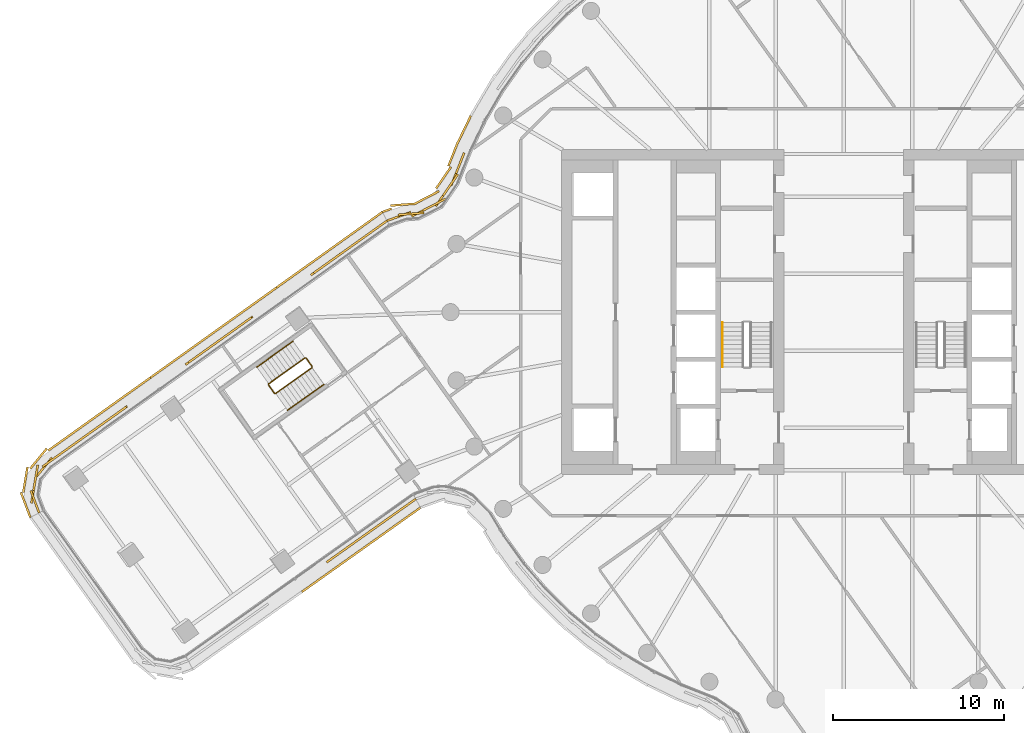
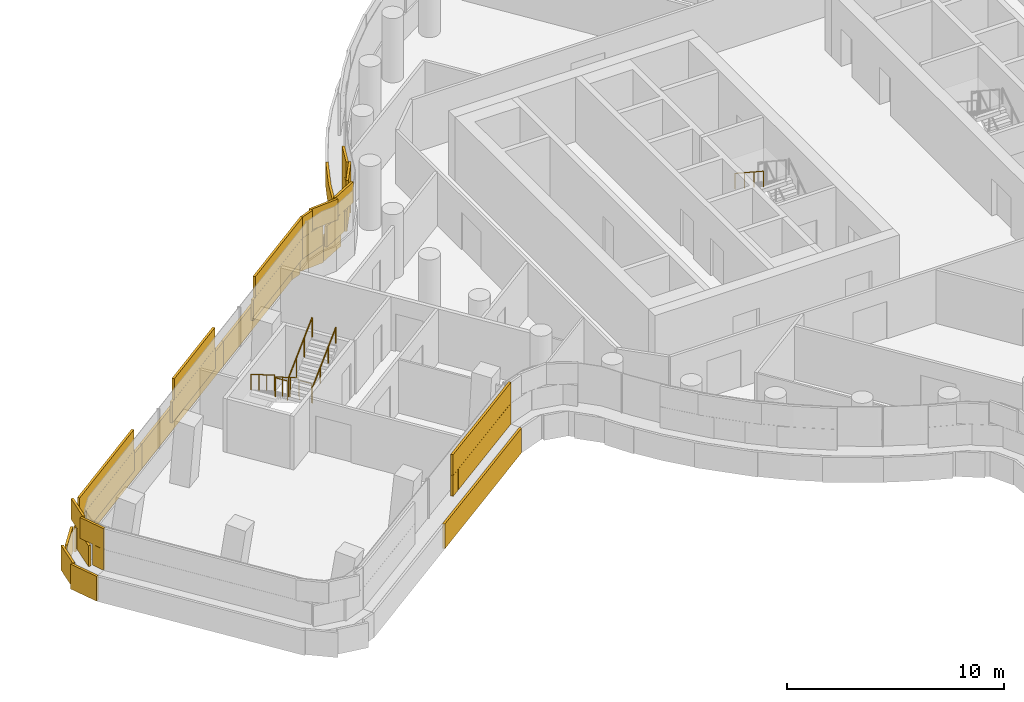
# One storey, part 27 of 31: 7 railings, 5 coverings.
"""IFC4 building model written with IfcOpenShell, lengths in metres."""

from ifc_helpers import new_model, si_unit, direction, frame, origin, origin_2d, place, context, subcontext, project, spatial, rectangle, circle, extrude, material, layer, layer_set, type_object, element, save


model = new_model("IFC4")

# Units and contexts
model_context = context("Model", 3, precision=1e-05, world=origin(), true_north=direction((0.0, 1.0)))
body_context = subcontext(model_context, "Body", "Model", "MODEL_VIEW")
ifc_project = project(units=[si_unit("LENGTHUNIT", "METRE"), si_unit("AREAUNIT", "SQUARE_METRE"), si_unit("VOLUMEUNIT", "CUBIC_METRE"), si_unit("PLANEANGLEUNIT", "RADIAN"), si_unit("MASSUNIT", "GRAM", prefix="KILO")], contexts=[model_context])

# Site, building, storey
site_placement = place(None, origin())
site = spatial("IfcSite", under=ifc_project, at=site_placement, CompositionType="ELEMENT")
building_placement = place(site_placement, origin())
building = spatial("IfcBuilding", under=site, at=building_placement, Name="Tamarind Cross Interchange Tower", CompositionType="ELEMENT")
storey_placement = place(building_placement, frame((0.0, 0.0, 163.0)))
storey = spatial("IfcBuildingStorey", under=building, at=storey_placement, Name="L40", CompositionType="ELEMENT", Elevation=163.0)

# Railings
ifc_material_1 = material(Name="Stair guard")
railing_type_1 = type_object("IfcRailingType", Name="Stair guard", PredefinedType="GUARDRAIL", material=ifc_material_1)
railing_1_placement = place(storey_placement, frame((-31.515625, -2.677001953125, 0.17041015625)))
element("IfcRailing", 1, at=railing_1_placement, inside=storey, type_object=railing_type_1, Name="L40 ST5 stair guard 1", PredefinedType="GUARDRAIL", context=body_context, shape_type="SweptSolid", body=[
    extrude(circle(Radius=0.02392578125, at=origin_2d()), frame((0.0, 0.0, 1.076171875), z_axis=(-0.680615036095, -0.485940445754, 0.548292855892), x_axis=(0.581069410293, -0.813854004365, 0.0)), (0.0, 0.0, 1.0), 3.10888671875),
    extrude(circle(Radius=0.02099609375, at=origin_2d()), origin(), (0.0, 0.0, 1.0), 1.052001953125),
    extrude(circle(Radius=0.02099609375, at=origin_2d()), frame((-0.705322265625, -0.503662109375, 0.568115234375)), (0.0, 0.0, 1.0), 1.052001953125),
    extrude(circle(Radius=0.02099609375, at=origin_2d()), frame((-1.41064453125, -1.007080078125, 1.136474609375)), (0.0, 0.0, 1.0), 1.052001953125),
    extrude(circle(Radius=0.02099609375, at=origin_2d()), frame((-2.115966796875, -1.5107421875, 1.70458984375)), (0.0, 0.0, 1.0), 1.052001953125),
])
railing_2_placement = place(storey_placement, frame((-33.643310546875, -4.257568359375, 1.875)))
element("IfcRailing", 2, at=railing_2_placement, inside=storey, type_object=railing_type_1, Name="L40 ST5 stair guard 2", PredefinedType="GUARDRAIL", context=body_context, shape_type="SweptSolid", body=[
    extrude(circle(Radius=0.02392578125, at=origin_2d()), frame((0.0, 0.0, 1.076171875), z_axis=(0.581084212935, -0.813843435483, 0.0), x_axis=(0.813843435483, 0.581084212935, 0.0)), (0.0, 0.0, 1.0), 0.599853515625),
    extrude(circle(Radius=0.02099609375, at=origin_2d()), origin(), (0.0, 0.0, 1.0), 1.052001953125),
    extrude(circle(Radius=0.02099609375, at=origin_2d()), frame((0.3486328125, -0.48828125, 0.0)), (0.0, 0.0, 1.0), 1.052001953125),
])
railing_3_placement = place(storey_placement, frame((-33.224853515625, -4.757568359375, 2.04541015625)))
element("IfcRailing", 3, at=railing_3_placement, inside=storey, type_object=railing_type_1, Name="L40 ST5 stair guard 3", PredefinedType="GUARDRAIL", context=body_context, shape_type="SweptSolid", body=[
    extrude(circle(Radius=0.02392578125, at=origin_2d()), frame((0.0, 0.0, 1.076171875), z_axis=(0.680615036095, 0.485940445754, 0.548292855892), x_axis=(-0.581069410293, 0.813854004365, 0.0)), (0.0, 0.0, 1.0), 3.10888671875),
    extrude(circle(Radius=0.02099609375, at=origin_2d()), origin(), (0.0, 0.0, 1.0), 1.052001953125),
    extrude(circle(Radius=0.02099609375, at=origin_2d()), frame((0.705322265625, 0.503662109375, 0.568115234375)), (0.0, 0.0, 1.0), 1.052001953125),
    extrude(circle(Radius=0.02099609375, at=origin_2d()), frame((1.41064453125, 1.007080078125, 1.136474609375)), (0.0, 0.0, 1.0), 1.052001953125),
    extrude(circle(Radius=0.02099609375, at=origin_2d()), frame((2.115966796875, 1.5107421875, 1.70458984375)), (0.0, 0.0, 1.0), 1.052001953125),
])
railing_4_placement = place(storey_placement, frame((-31.44580078125, -2.688720703125, 0.0)))
element("IfcRailing", 4, at=railing_4_placement, inside=storey, type_object=railing_type_1, Name="L40 ST5 stair guard 4", PredefinedType="GUARDRAIL", context=body_context, shape_type="SweptSolid", body=[
    extrude(circle(Radius=0.02392578125, at=origin_2d()), frame((0.0, 0.0, 1.076171875), z_axis=(0.581084212935, -0.813843435483, 0.0), x_axis=(0.813843435483, 0.581084212935, 0.0)), (0.0, 0.0, 1.0), 0.599853515625),
    extrude(circle(Radius=0.02099609375, at=origin_2d()), origin(), (0.0, 0.0, 1.0), 1.052001953125),
    extrude(circle(Radius=0.02099609375, at=origin_2d()), frame((0.3486328125, -0.48828125, 0.0)), (0.0, 0.0, 1.0), 1.052001953125),
])
ifc_material_2 = material(Name="Stair handrail")
railing_type_2 = type_object("IfcRailingType", Name="Stair handrail", PredefinedType="HANDRAIL", material=ifc_material_2)
railing_5_placement = place(storey_placement, frame((-7.10009765625, -0.60009765625, 2.04541015625)))
element("IfcRailing", 5, at=railing_5_placement, inside=storey, type_object=railing_type_2, Name="L40 ST1 stair handrail 2", PredefinedType="HANDRAIL", context=body_context, shape_type="SweptSolid", body=[
    extrude(circle(Radius=0.02392578125, at=origin_2d()), frame((0.0, 0.0, 0.8759765625), z_axis=(0.0, -0.836278606002, 0.548304744775), x_axis=(1.0, 0.0, 0.0)), (0.0, 0.0, 1.0), 3.10888671875),
    extrude(circle(Radius=0.02099609375, at=origin_2d()), origin(), (0.0, 0.0, 1.0), 0.851806640625),
    extrude(circle(Radius=0.02099609375, at=origin_2d()), frame((0.0, -0.86669921875, 0.568115234375)), (0.0, 0.0, 1.0), 0.851806640625),
    extrude(circle(Radius=0.02099609375, at=origin_2d()), frame((0.0, -1.733154296875, 1.136474609375)), (0.0, 0.0, 1.0), 0.851806640625),
    extrude(circle(Radius=0.02099609375, at=origin_2d()), frame((0.0, -2.599853515625, 1.70458984375)), (0.0, 0.0, 1.0), 0.851806640625),
])
railing_6_placement = place(storey_placement, frame((-32.212890625, -1.700439453125, 0.17041015625)))
element("IfcRailing", 6, at=railing_6_placement, inside=storey, type_object=railing_type_2, Name="L40 ST5 stair handrail 1", PredefinedType="HANDRAIL", context=body_context, shape_type="SweptSolid", body=[
    extrude(circle(Radius=0.02392578125, at=origin_2d()), frame((0.0, 0.0, 0.8759765625), z_axis=(-0.680615036095, -0.485940445754, 0.548292855892), x_axis=(0.581069410293, -0.813854004365, 0.0)), (0.0, 0.0, 1.0), 3.10888671875),
    extrude(circle(Radius=0.02099609375, at=origin_2d()), origin(), (0.0, 0.0, 1.0), 0.851806640625),
    extrude(circle(Radius=0.02099609375, at=origin_2d()), frame((-0.705322265625, -0.503662109375, 0.568115234375)), (0.0, 0.0, 1.0), 0.851806640625),
    extrude(circle(Radius=0.02099609375, at=origin_2d()), frame((-1.41064453125, -1.007080078125, 1.136474609375)), (0.0, 0.0, 1.0), 0.851806640625),
    extrude(circle(Radius=0.02099609375, at=origin_2d()), frame((-2.115966796875, -1.5107421875, 1.70458984375)), (0.0, 0.0, 1.0), 0.851806640625),
])
railing_7_placement = place(storey_placement, frame((-32.527587890625, -5.734130859375, 2.04541015625)))
element("IfcRailing", 7, at=railing_7_placement, inside=storey, type_object=railing_type_2, Name="L40 ST5 stair handrail 2", PredefinedType="HANDRAIL", context=body_context, shape_type="SweptSolid", body=[
    extrude(circle(Radius=0.02392578125, at=origin_2d()), frame((0.0, 0.0, 0.8759765625), z_axis=(0.680615036095, 0.485940445754, 0.548292855892), x_axis=(-0.581069410293, 0.813854004365, 0.0)), (0.0, 0.0, 1.0), 3.10888671875),
    extrude(circle(Radius=0.02099609375, at=origin_2d()), origin(), (0.0, 0.0, 1.0), 0.851806640625),
    extrude(circle(Radius=0.02099609375, at=origin_2d()), frame((0.705322265625, 0.503662109375, 0.568115234375)), (0.0, 0.0, 1.0), 0.851806640625),
    extrude(circle(Radius=0.02099609375, at=origin_2d()), frame((1.41064453125, 1.007080078125, 1.136474609375)), (0.0, 0.0, 1.0), 0.851806640625),
    extrude(circle(Radius=0.02099609375, at=origin_2d()), frame((2.115966796875, 1.5107421875, 1.70458984375)), (0.0, 0.0, 1.0), 0.851806640625),
])

# Coverings
ifc_material_3 = material(Name="Terracotta", Category="masonry")
ifc_layer = layer(ifc_material_3, 0.1201171875)
ifc_layer_set = layer_set([ifc_layer], Name="Terracotta")
covering_type = type_object("IfcCoveringType", Name="Terracotta baguette screen unit", PredefinedType="MOLDING", material=ifc_layer_set)
covering_1_placement = place(storey_placement, origin())
element("IfcCovering", 8, at=covering_1_placement, inside=storey, type_object=covering_type, Name="SCR-L40-10-01", PredefinedType="MOLDING", context=body_context, shape_type="SweptSolid", body=[
    extrude(rectangle(XDim=0.55224609375, YDim=0.1201171875, at=origin_2d()), frame((-22.305419921875, 9.058837890625, 1.404052734375), z_axis=(0.0, 0.0, 1.0), x_axis=(-0.368472826685, -0.929638518993, 0.0)), (0.0, 0.0, 1.0), 1.1669921875),
    extrude(rectangle(XDim=1.52001953125, YDim=0.1201171875, at=origin_2d()), frame((-22.681640625, 8.109619140625, 1.404052734375), z_axis=(0.0, 0.0, 1.0), x_axis=(-0.368472826685, -0.929638518993, 0.0)), (0.0, 0.0, 1.0), 1.1669921875),
    extrude(rectangle(XDim=1.52001953125, YDim=0.1201171875, at=origin_2d()), frame((-23.432861328125, 6.821044921875, 1.404052734375), z_axis=(0.0, 0.0, 1.0), x_axis=(-0.567916811175, -0.823085958807, 0.0)), (0.0, 0.0, 1.0), 1.1669921875),
    extrude(rectangle(XDim=1.52001953125, YDim=0.1201171875, at=origin_2d()), frame((-24.603515625, 5.947998046875, 1.404052734375), z_axis=(0.0, 0.0, 1.0), x_axis=(-0.887819501132, -0.460191844136, 0.0)), (0.0, 0.0, 1.0), 1.1669921875),
    extrude(rectangle(XDim=1.4814453125, YDim=0.1201171875, at=origin_2d()), frame((-26.0234375, 5.595947265625, 1.404052734375), z_axis=(0.0, 0.0, 1.0), x_axis=(-0.94010171785, -0.340894059929, 0.0)), (0.0, 0.0, 1.0), 1.1669921875),
    extrude(rectangle(XDim=1.30224609375, YDim=0.1201171875, at=origin_2d()), frame((-22.443603515625, 8.710205078125, 2.5791015625), z_axis=(0.0, 0.0, 1.0), x_axis=(-0.368472826685, -0.929638518993, 0.0)), (0.0, 0.0, 1.0), 1.1669921875),
    extrude(rectangle(XDim=1.52001953125, YDim=0.1201171875, at=origin_2d()), frame((-23.0068359375, 7.4384765625, 2.5791015625), z_axis=(0.0, 0.0, 1.0), x_axis=(-0.567916811175, -0.823085958807, 0.0)), (0.0, 0.0, 1.0), 1.1669921875),
    extrude(rectangle(XDim=1.52001953125, YDim=0.1201171875, at=origin_2d()), frame((-23.937744140625, 6.293212890625, 2.5791015625), z_axis=(0.0, 0.0, 1.0), x_axis=(-0.887819501132, -0.460191844136, 0.0)), (0.0, 0.0, 1.0), 1.1669921875),
    extrude(rectangle(XDim=1.52001953125, YDim=0.1201171875, at=origin_2d()), frame((-25.310546875, 5.748291015625, 2.5791015625), z_axis=(0.0, 0.0, 1.0), x_axis=(-0.997133194261, -0.075666326087, 0.0)), (0.0, 0.0, 1.0), 1.1669921875),
    extrude(rectangle(XDim=0.7314453125, YDim=0.1201171875, at=origin_2d()), frame((-26.3759765625, 5.468017578125, 2.5791015625), z_axis=(0.0, 0.0, 1.0), x_axis=(-0.94010171785, -0.340894059929, 0.0)), (0.0, 0.0, 1.0), 1.1669921875),
    extrude(rectangle(XDim=0.2119140625, YDim=0.1201171875, at=origin_2d()), frame((-21.864990234375, 11.382080078125, 0.00390625), z_axis=(0.0, 0.0, 1.0), x_axis=(-0.435326231914, -0.900272776334, 0.0)), (0.0, 0.0, 1.0), 1.39208984375),
    extrude(rectangle(XDim=1.52001953125, YDim=0.1201171875, at=origin_2d()), frame((-22.2333984375, 10.62060546875, 0.00390625), z_axis=(0.0, 0.0, 1.0), x_axis=(-0.435326231914, -0.900272776334, 0.0)), (0.0, 0.0, 1.0), 1.39208984375),
    extrude(rectangle(XDim=1.52001953125, YDim=0.1201171875, at=origin_2d()), frame((-22.84619140625, 9.25244140625, 0.00390625), z_axis=(0.0, 0.0, 1.0), x_axis=(-0.368472826685, -0.929638518993, 0.0)), (0.0, 0.0, 1.0), 1.39208984375),
    extrude(rectangle(XDim=1.52001953125, YDim=0.1201171875, at=origin_2d()), frame((-23.410400390625, 7.8642578125, 0.00390625), z_axis=(0.0, 0.0, 1.0), x_axis=(-0.567916811175, -0.823085958807, 0.0)), (0.0, 0.0, 1.0), 1.39208984375),
    extrude(rectangle(XDim=1.52001953125, YDim=0.1201171875, at=origin_2d()), frame((-24.34814453125, 6.72705078125, 0.00390625), z_axis=(0.0, 0.0, 1.0), x_axis=(-0.887819501132, -0.460191844136, 0.0)), (0.0, 0.0, 1.0), 1.39208984375),
    extrude(rectangle(XDim=1.52001953125, YDim=0.1201171875, at=origin_2d()), frame((-25.751953125, 6.290283203125, 0.00390625), z_axis=(0.0, 0.0, 1.0), x_axis=(-0.997133194261, -0.075666326087, 0.0)), (0.0, 0.0, 1.0), 1.39208984375),
    extrude(rectangle(XDim=0.568115234375, YDim=0.1201171875, at=origin_2d()), frame((-26.7177734375, 5.954833984375, 0.00390625), z_axis=(0.0, 0.0, 1.0), x_axis=(-0.94010171785, -0.340894059929, 0.0)), (0.0, 0.0, 1.0), 1.39208984375),
])
covering_2_placement = place(storey_placement, origin())
element("IfcCovering", 9, at=covering_2_placement, inside=storey, type_object=covering_type, Name="SCR-L40-11-00", PredefinedType="MOLDING", context=body_context, shape_type="SweptSolid", body=[
    extrude(rectangle(XDim=1.510009765625, YDim=0.1201171875, at=origin_2d()), frame((-27.32568359375, 4.909423828125, 1.404052734375), z_axis=(0.0, 0.0, 1.0), x_axis=(-0.81388031548, -0.581032556811, 0.0)), (0.0, 0.0, 1.0), 1.1669921875),
    extrude(rectangle(XDim=1.52001953125, YDim=0.1201171875, at=origin_2d()), frame((-28.54638671875, 4.037841796875, 1.404052734375), z_axis=(0.0, 0.0, 1.0), x_axis=(-0.81388031548, -0.581032556811, 0.0)), (0.0, 0.0, 1.0), 1.1669921875),
    extrude(rectangle(XDim=1.52001953125, YDim=0.1201171875, at=origin_2d()), frame((-29.767333984375, 3.166259765625, 1.404052734375), z_axis=(0.0, 0.0, 1.0), x_axis=(-0.81388031548, -0.581032556811, 0.0)), (0.0, 0.0, 1.0), 1.1669921875),
    extrude(rectangle(XDim=0.973388671875, YDim=0.1201171875, at=origin_2d()), frame((-30.76953125, 2.45068359375, 1.404052734375), z_axis=(0.0, 0.0, 1.0), x_axis=(-0.81388031548, -0.581032556811, 0.0)), (0.0, 0.0, 1.0), 1.1669921875),
    extrude(rectangle(XDim=0.760009765625, YDim=0.1201171875, at=origin_2d()), frame((-27.0205078125, 5.127197265625, 2.5791015625), z_axis=(0.0, 0.0, 1.0), x_axis=(-0.81388031548, -0.581032556811, 0.0)), (0.0, 0.0, 1.0), 1.1669921875),
    extrude(rectangle(XDim=1.52001953125, YDim=0.1201171875, at=origin_2d()), frame((-27.93603515625, 4.4736328125, 2.5791015625), z_axis=(0.0, 0.0, 1.0), x_axis=(-0.81388031548, -0.581032556811, 0.0)), (0.0, 0.0, 1.0), 1.1669921875),
    extrude(rectangle(XDim=1.52001953125, YDim=0.1201171875, at=origin_2d()), frame((-29.15673828125, 3.60205078125, 2.5791015625), z_axis=(0.0, 0.0, 1.0), x_axis=(-0.81388031548, -0.581032556811, 0.0)), (0.0, 0.0, 1.0), 1.1669921875),
    extrude(rectangle(XDim=1.52001953125, YDim=0.1201171875, at=origin_2d()), frame((-30.377685546875, 2.73046875, 2.5791015625), z_axis=(0.0, 0.0, 1.0), x_axis=(-0.81388031548, -0.581032556811, 0.0)), (0.0, 0.0, 1.0), 1.1669921875),
    extrude(rectangle(XDim=1.510009765625, YDim=0.1201171875, at=origin_2d()), frame((-27.59912109375, 5.41943359375, 0.00390625), z_axis=(0.0, 0.0, 1.0), x_axis=(-0.81388031548, -0.581032556811, 0.0)), (0.0, 0.0, 1.0), 1.39208984375),
    extrude(rectangle(XDim=1.52001953125, YDim=0.1201171875, at=origin_2d()), frame((-28.81591796875, 4.55078125, 0.00390625), z_axis=(0.0, 0.0, 1.0), x_axis=(-0.81388031548, -0.581032556811, 0.0)), (0.0, 0.0, 1.0), 1.39208984375),
    extrude(rectangle(XDim=1.52001953125, YDim=0.1201171875, at=origin_2d()), frame((-30.036865234375, 3.67919921875, 0.00390625), z_axis=(0.0, 0.0, 1.0), x_axis=(-0.81388031548, -0.581032556811, 0.0)), (0.0, 0.0, 1.0), 1.39208984375),
    extrude(rectangle(XDim=1.52001953125, YDim=0.1201171875, at=origin_2d()), frame((-31.257568359375, 2.8076171875, 0.00390625), z_axis=(0.0, 0.0, 1.0), x_axis=(-0.81388031548, -0.581032556811, 0.0)), (0.0, 0.0, 1.0), 1.39208984375),
    extrude(rectangle(XDim=1.52001953125, YDim=0.1201171875, at=origin_2d()), frame((-32.478515625, 1.93603515625, 0.00390625), z_axis=(0.0, 0.0, 1.0), x_axis=(-0.81388031548, -0.581032556811, 0.0)), (0.0, 0.0, 1.0), 1.39208984375),
    extrude(rectangle(XDim=0.12109375, YDim=0.1201171875, at=origin_2d()), frame((-33.1298828125, 1.470947265625, 0.00390625), z_axis=(0.0, 0.0, 1.0), x_axis=(-0.81388031548, -0.581032556811, 0.0)), (0.0, 0.0, 1.0), 1.39208984375),
])
covering_3_placement = place(storey_placement, origin())
element("IfcCovering", 10, at=covering_3_placement, inside=storey, type_object=covering_type, Name="SCR-L40-11-01", PredefinedType="MOLDING", context=body_context, shape_type="SweptSolid", body=[
    extrude(rectangle(XDim=0.8466796875, YDim=0.1201171875, at=origin_2d()), frame((-34.92041015625, -0.5126953125, 1.404052734375), z_axis=(0.0, 0.0, 1.0), x_axis=(-0.81388031548, -0.581032556811, 0.0)), (0.0, 0.0, 1.0), 1.1669921875),
    extrude(rectangle(XDim=1.52001953125, YDim=0.1201171875, at=origin_2d()), frame((-35.871337890625, -1.19140625, 1.404052734375), z_axis=(0.0, 0.0, 1.0), x_axis=(-0.81388031548, -0.581032556811, 0.0)), (0.0, 0.0, 1.0), 1.1669921875),
    extrude(rectangle(XDim=1.52001953125, YDim=0.1201171875, at=origin_2d()), frame((-37.092041015625, -2.06298828125, 1.404052734375), z_axis=(0.0, 0.0, 1.0), x_axis=(-0.81388031548, -0.581032556811, 0.0)), (0.0, 0.0, 1.0), 1.1669921875),
    extrude(rectangle(XDim=0.982177734375, YDim=0.1201171875, at=origin_2d()), frame((-38.09814453125, -2.78125, 1.404052734375), z_axis=(0.0, 0.0, 1.0), x_axis=(-0.81388031548, -0.581032556811, 0.0)), (0.0, 0.0, 1.0), 1.1669921875),
    extrude(rectangle(XDim=1.52001953125, YDim=0.1201171875, at=origin_2d()), frame((-35.260986328125, -0.755615234375, 2.5791015625), z_axis=(0.0, 0.0, 1.0), x_axis=(-0.81388031548, -0.581032556811, 0.0)), (0.0, 0.0, 1.0), 1.1669921875),
    extrude(rectangle(XDim=1.52001953125, YDim=0.1201171875, at=origin_2d()), frame((-36.481689453125, -1.627197265625, 2.5791015625), z_axis=(0.0, 0.0, 1.0), x_axis=(-0.81388031548, -0.581032556811, 0.0)), (0.0, 0.0, 1.0), 1.1669921875),
    extrude(rectangle(XDim=1.52001953125, YDim=0.1201171875, at=origin_2d()), frame((-37.70263671875, -2.498779296875, 2.5791015625), z_axis=(0.0, 0.0, 1.0), x_axis=(-0.81388031548, -0.581032556811, 0.0)), (0.0, 0.0, 1.0), 1.1669921875),
    extrude(rectangle(XDim=1.39892578125, YDim=0.1201171875, at=origin_2d()), frame((-33.74853515625, 1.029296875, 0.00390625), z_axis=(0.0, 0.0, 1.0), x_axis=(-0.81388031548, -0.581032556811, 0.0)), (0.0, 0.0, 1.0), 1.39208984375),
    extrude(rectangle(XDim=1.52001953125, YDim=0.1201171875, at=origin_2d()), frame((-34.920166015625, 0.19287109375, 0.00390625), z_axis=(0.0, 0.0, 1.0), x_axis=(-0.81388031548, -0.581032556811, 0.0)), (0.0, 0.0, 1.0), 1.39208984375),
    extrude(rectangle(XDim=1.52001953125, YDim=0.1201171875, at=origin_2d()), frame((-36.140869140625, -0.6787109375, 0.00390625), z_axis=(0.0, 0.0, 1.0), x_axis=(-0.81388031548, -0.581032556811, 0.0)), (0.0, 0.0, 1.0), 1.39208984375),
    extrude(rectangle(XDim=1.52001953125, YDim=0.1201171875, at=origin_2d()), frame((-37.36181640625, -1.55029296875, 0.00390625), z_axis=(0.0, 0.0, 1.0), x_axis=(-0.81388031548, -0.581032556811, 0.0)), (0.0, 0.0, 1.0), 1.39208984375),
    extrude(rectangle(XDim=1.52001953125, YDim=0.1201171875, at=origin_2d()), frame((-38.58251953125, -2.421630859375, 0.00390625), z_axis=(0.0, 0.0, 1.0), x_axis=(-0.81388031548, -0.581032556811, 0.0)), (0.0, 0.0, 1.0), 1.39208984375),
    extrude(rectangle(XDim=1.52001953125, YDim=0.1201171875, at=origin_2d()), frame((-39.803466796875, -3.293212890625, 0.00390625), z_axis=(0.0, 0.0, 1.0), x_axis=(-0.81388031548, -0.581032556811, 0.0)), (0.0, 0.0, 1.0), 1.39208984375),
    extrude(rectangle(XDim=0.186767578125, YDim=0.1201171875, at=origin_2d()), frame((-40.481689453125, -3.777587890625, 0.00390625), z_axis=(0.0, 0.0, 1.0), x_axis=(-0.81388031548, -0.581032556811, 0.0)), (0.0, 0.0, 1.0), 1.39208984375),
])
covering_4_placement = place(storey_placement, origin())
element("IfcCovering", 11, at=covering_4_placement, inside=storey, type_object=covering_type, Name="SCR-L40-11-02", PredefinedType="MOLDING", context=body_context, shape_type="SweptSolid", body=[
    extrude(rectangle(XDim=0.837890625, YDim=0.1201171875, at=origin_2d()), frame((-42.2490234375, -5.744384765625, 1.404052734375), z_axis=(0.0, 0.0, 1.0), x_axis=(-0.81388031548, -0.581032556811, 0.0)), (0.0, 0.0, 1.0), 1.1669921875),
    extrude(rectangle(XDim=1.52001953125, YDim=0.1201171875, at=origin_2d()), frame((-43.1962890625, -6.420654296875, 1.404052734375), z_axis=(0.0, 0.0, 1.0), x_axis=(-0.81388031548, -0.581032556811, 0.0)), (0.0, 0.0, 1.0), 1.1669921875),
    extrude(rectangle(XDim=1.52001953125, YDim=0.1201171875, at=origin_2d()), frame((-44.4169921875, -7.292236328125, 1.404052734375), z_axis=(0.0, 0.0, 1.0), x_axis=(-0.81388031548, -0.581032556811, 0.0)), (0.0, 0.0, 1.0), 1.1669921875),
    extrude(rectangle(XDim=1.52001953125, YDim=0.1201171875, at=origin_2d()), frame((-45.637939453125, -8.163818359375, 1.404052734375), z_axis=(0.0, 0.0, 1.0), x_axis=(-0.81388031548, -0.581032556811, 0.0)), (0.0, 0.0, 1.0), 1.1669921875),
    extrude(rectangle(XDim=1.52001953125, YDim=0.1201171875, at=origin_2d()), frame((-46.797607421875, -9.100830078125, 1.404052734375), z_axis=(0.0, 0.0, 1.0), x_axis=(-0.635765724703, -0.771882078618, 0.0)), (0.0, 0.0, 1.0), 1.1669921875),
    extrude(rectangle(XDim=1.52001953125, YDim=0.1201171875, at=origin_2d()), frame((-47.387451171875, -10.42431640625, 1.404052734375), z_axis=(0.0, 0.0, 1.0), x_axis=(-0.164648229139, -0.986352351161, 0.0)), (0.0, 0.0, 1.0), 1.1669921875),
    extrude(rectangle(XDim=0.642822265625, YDim=0.1201171875, at=origin_2d()), frame((-47.17431640625, -11.4384765625, 1.404052734375), z_axis=(0.0, 0.0, 1.0), x_axis=(0.350586626458, -0.936530307758, 0.0)), (0.0, 0.0, 1.0), 1.1669921875),
    extrude(rectangle(XDim=1.52001953125, YDim=0.1201171875, at=origin_2d()), frame((-42.5859375, -5.98486328125, 2.5791015625), z_axis=(0.0, 0.0, 1.0), x_axis=(-0.81388031548, -0.581032556811, 0.0)), (0.0, 0.0, 1.0), 1.1669921875),
    extrude(rectangle(XDim=1.52001953125, YDim=0.1201171875, at=origin_2d()), frame((-43.806640625, -6.8564453125, 2.5791015625), z_axis=(0.0, 0.0, 1.0), x_axis=(-0.81388031548, -0.581032556811, 0.0)), (0.0, 0.0, 1.0), 1.1669921875),
    extrude(rectangle(XDim=1.52001953125, YDim=0.1201171875, at=origin_2d()), frame((-45.027587890625, -7.72802734375, 2.5791015625), z_axis=(0.0, 0.0, 1.0), x_axis=(-0.81388031548, -0.581032556811, 0.0)), (0.0, 0.0, 1.0), 1.1669921875),
    extrude(rectangle(XDim=1.52001953125, YDim=0.1201171875, at=origin_2d()), frame((-46.248291015625, -8.599609375, 2.5791015625), z_axis=(0.0, 0.0, 1.0), x_axis=(-0.81388031548, -0.581032556811, 0.0)), (0.0, 0.0, 1.0), 1.1669921875),
    extrude(rectangle(XDim=1.52001953125, YDim=0.1201171875, at=origin_2d()), frame((-47.26416015625, -9.6845703125, 2.5791015625), z_axis=(0.0, 0.0, 1.0), x_axis=(-0.164648229139, -0.986352351161, 0.0)), (0.0, 0.0, 1.0), 1.1669921875),
    extrude(rectangle(XDim=1.392822265625, YDim=0.1201171875, at=origin_2d()), frame((-47.3056640625, -11.08740234375, 2.5791015625), z_axis=(0.0, 0.0, 1.0), x_axis=(0.350586626458, -0.936530307758, 0.0)), (0.0, 0.0, 1.0), 1.1669921875),
    extrude(rectangle(XDim=1.3330078125, YDim=0.1201171875, at=origin_2d()), frame((-41.100341796875, -4.218994140625, 0.00390625), z_axis=(0.0, 0.0, 1.0), x_axis=(-0.81388031548, -0.581032556811, 0.0)), (0.0, 0.0, 1.0), 1.39208984375),
    extrude(rectangle(XDim=1.52001953125, YDim=0.1201171875, at=origin_2d()), frame((-42.2451171875, -5.036376953125, 0.00390625), z_axis=(0.0, 0.0, 1.0), x_axis=(-0.81388031548, -0.581032556811, 0.0)), (0.0, 0.0, 1.0), 1.39208984375),
    extrude(rectangle(XDim=1.52001953125, YDim=0.1201171875, at=origin_2d()), frame((-43.4658203125, -5.907958984375, 0.00390625), z_axis=(0.0, 0.0, 1.0), x_axis=(-0.81388031548, -0.581032556811, 0.0)), (0.0, 0.0, 1.0), 1.39208984375),
    extrude(rectangle(XDim=1.52001953125, YDim=0.1201171875, at=origin_2d()), frame((-44.6865234375, -6.779541015625, 0.00390625), z_axis=(0.0, 0.0, 1.0), x_axis=(-0.81388031548, -0.581032556811, 0.0)), (0.0, 0.0, 1.0), 1.39208984375),
    extrude(rectangle(XDim=1.52001953125, YDim=0.1201171875, at=origin_2d()), frame((-45.907470703125, -7.651123046875, 0.00390625), z_axis=(0.0, 0.0, 1.0), x_axis=(-0.81388031548, -0.581032556811, 0.0)), (0.0, 0.0, 1.0), 1.39208984375),
    extrude(rectangle(XDim=1.52001953125, YDim=0.1201171875, at=origin_2d()), frame((-47.0947265625, -8.55859375, 0.00390625), z_axis=(0.0, 0.0, 1.0), x_axis=(-0.635765724703, -0.771882078618, 0.0)), (0.0, 0.0, 1.0), 1.39208984375),
    extrude(rectangle(XDim=1.52001953125, YDim=0.1201171875, at=origin_2d()), frame((-47.865234375, -9.7998046875, 0.00390625), z_axis=(0.0, 0.0, 1.0), x_axis=(-0.164648229139, -0.986352351161, 0.0)), (0.0, 0.0, 1.0), 1.39208984375),
    extrude(rectangle(XDim=1.52001953125, YDim=0.1201171875, at=origin_2d()), frame((-47.85595703125, -11.254638671875, 0.00390625), z_axis=(0.0, 0.0, 1.0), x_axis=(0.350586626458, -0.936530307758, 0.0)), (0.0, 0.0, 1.0), 1.39208984375),
    extrude(rectangle(XDim=0.063232421875, YDim=0.1201171875, at=origin_2d()), frame((-47.58544921875, -11.977294921875, 0.00390625), z_axis=(0.0, 0.0, 1.0), x_axis=(0.350586626458, -0.936530307758, 0.0)), (0.0, 0.0, 1.0), 1.39208984375),
])
covering_5_placement = place(storey_placement, origin())
element("IfcCovering", 12, at=covering_5_placement, inside=storey, type_object=covering_type, Name="SCR-L40-13-01", PredefinedType="MOLDING", context=body_context, shape_type="SweptSolid", body=[
    extrude(rectangle(XDim=0.58349609375, YDim=0.1201171875, at=origin_2d()), frame((-30.014404296875, -14.461669921875, 1.404052734375), z_axis=(0.0, 0.0, 1.0), x_axis=(0.815214734027, 0.579158818828, 0.0)), (0.0, 0.0, 1.0), 1.1669921875),
    extrude(rectangle(XDim=1.52001953125, YDim=0.1201171875, at=origin_2d()), frame((-29.169189453125, -13.861328125, 1.404052734375), z_axis=(0.0, 0.0, 1.0), x_axis=(0.815214734027, 0.579158818828, 0.0)), (0.0, 0.0, 1.0), 1.1669921875),
    extrude(rectangle(XDim=1.52001953125, YDim=0.1201171875, at=origin_2d()), frame((-27.946533203125, -12.99267578125, 1.404052734375), z_axis=(0.0, 0.0, 1.0), x_axis=(0.815214734027, 0.579158818828, 0.0)), (0.0, 0.0, 1.0), 1.1669921875),
    extrude(rectangle(XDim=1.52001953125, YDim=0.1201171875, at=origin_2d()), frame((-26.7236328125, -12.123779296875, 1.404052734375), z_axis=(0.0, 0.0, 1.0), x_axis=(0.815214734027, 0.579158818828, 0.0)), (0.0, 0.0, 1.0), 1.1669921875),
    extrude(rectangle(XDim=1.3330078125, YDim=0.1201171875, at=origin_2d()), frame((-25.572998046875, -11.306396484375, 1.404052734375), z_axis=(0.0, 0.0, 1.0), x_axis=(0.815214734027, 0.579158818828, 0.0)), (0.0, 0.0, 1.0), 1.1669921875),
    extrude(rectangle(XDim=1.33349609375, YDim=0.1201171875, at=origin_2d()), frame((-29.708740234375, -14.24462890625, 2.5791015625), z_axis=(0.0, 0.0, 1.0), x_axis=(0.815214734027, 0.579158818828, 0.0)), (0.0, 0.0, 1.0), 1.1669921875),
    extrude(rectangle(XDim=1.52001953125, YDim=0.1201171875, at=origin_2d()), frame((-28.557861328125, -13.427001953125, 2.5791015625), z_axis=(0.0, 0.0, 1.0), x_axis=(0.815214734027, 0.579158818828, 0.0)), (0.0, 0.0, 1.0), 1.1669921875),
    extrude(rectangle(XDim=1.52001953125, YDim=0.1201171875, at=origin_2d()), frame((-27.3349609375, -12.55810546875, 2.5791015625), z_axis=(0.0, 0.0, 1.0), x_axis=(0.815214734027, 0.579158818828, 0.0)), (0.0, 0.0, 1.0), 1.1669921875),
    extrude(rectangle(XDim=1.52001953125, YDim=0.1201171875, at=origin_2d()), frame((-26.1123046875, -11.689453125, 2.5791015625), z_axis=(0.0, 0.0, 1.0), x_axis=(0.815214734027, 0.579158818828, 0.0)), (0.0, 0.0, 1.0), 1.1669921875),
    extrude(rectangle(XDim=0.5830078125, YDim=0.1201171875, at=origin_2d()), frame((-25.267333984375, -11.089111328125, 2.5791015625), z_axis=(0.0, 0.0, 1.0), x_axis=(0.815214734027, 0.579158818828, 0.0)), (0.0, 0.0, 1.0), 1.1669921875),
    extrude(rectangle(XDim=1.185546875, YDim=0.1201171875, at=origin_2d()), frame((-31.207275390625, -16.01318359375, 0.00390625), z_axis=(0.0, 0.0, 1.0), x_axis=(0.815214734027, 0.579158818828, 0.0)), (0.0, 0.0, 1.0), 1.39208984375),
    extrude(rectangle(XDim=1.52001953125, YDim=0.1201171875, at=origin_2d()), frame((-30.120849609375, -15.241455078125, 0.00390625), z_axis=(0.0, 0.0, 1.0), x_axis=(0.815214734027, 0.579158818828, 0.0)), (0.0, 0.0, 1.0), 1.39208984375),
    extrude(rectangle(XDim=1.52001953125, YDim=0.1201171875, at=origin_2d()), frame((-28.89794921875, -14.37255859375, 0.00390625), z_axis=(0.0, 0.0, 1.0), x_axis=(0.815214734027, 0.579158818828, 0.0)), (0.0, 0.0, 1.0), 1.39208984375),
    extrude(rectangle(XDim=1.52001953125, YDim=0.1201171875, at=origin_2d()), frame((-27.675048828125, -13.50390625, 0.00390625), z_axis=(0.0, 0.0, 1.0), x_axis=(0.815214734027, 0.579158818828, 0.0)), (0.0, 0.0, 1.0), 1.39208984375),
    extrude(rectangle(XDim=1.52001953125, YDim=0.1201171875, at=origin_2d()), frame((-26.452392578125, -12.63525390625, 0.00390625), z_axis=(0.0, 0.0, 1.0), x_axis=(0.815214734027, 0.579158818828, 0.0)), (0.0, 0.0, 1.0), 1.39208984375),
    extrude(rectangle(XDim=1.3291015625, YDim=0.1201171875, at=origin_2d()), frame((-25.307373046875, -11.82177734375, 0.00390625), z_axis=(0.0, 0.0, 1.0), x_axis=(0.815214734027, 0.579158818828, 0.0)), (0.0, 0.0, 1.0), 1.39208984375),
])

save(model, "model.ifc")
